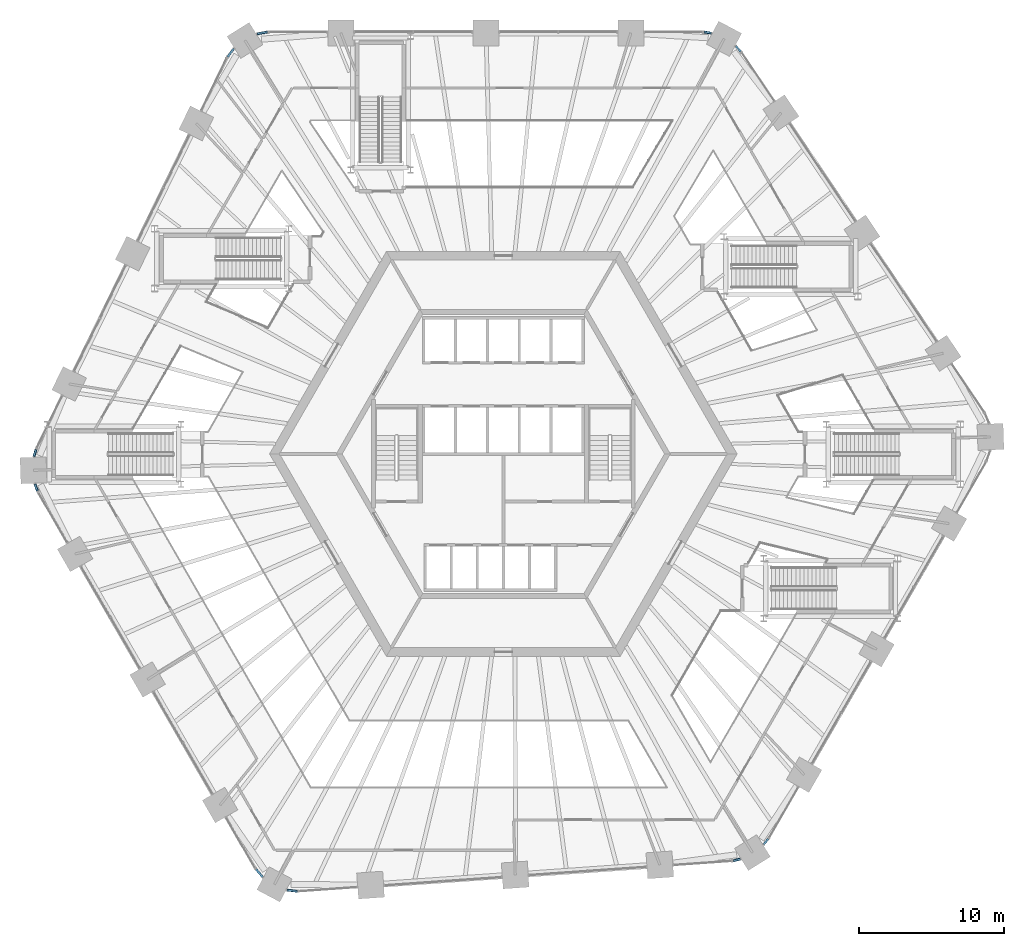
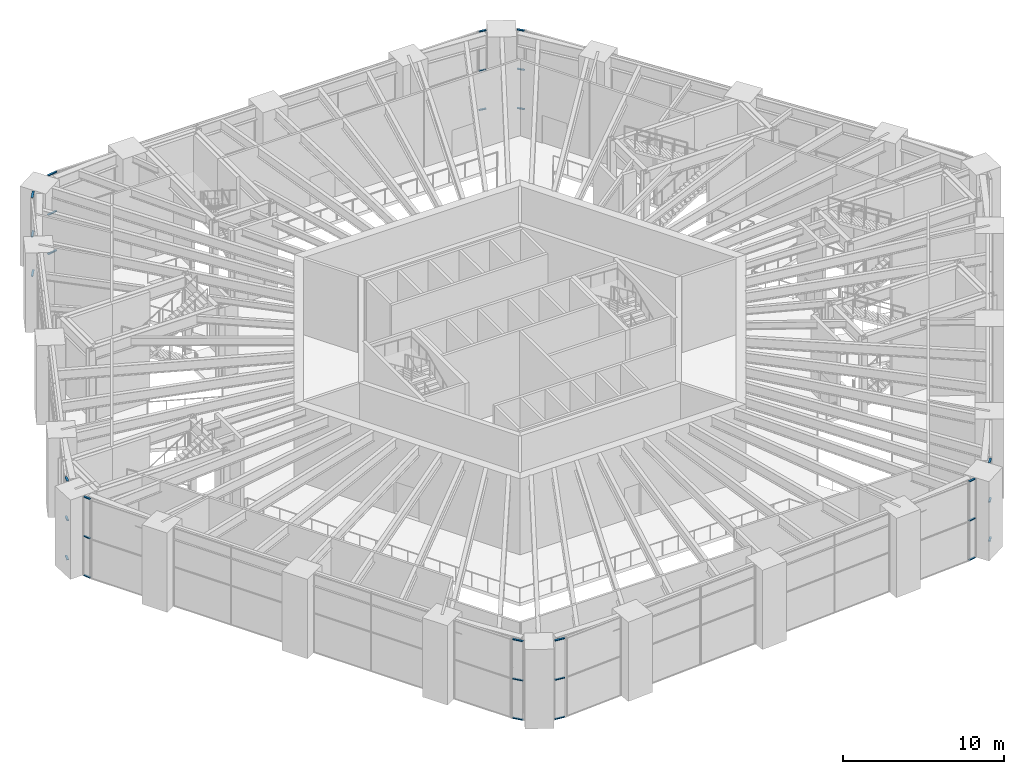
# One storey, part 12 of 32: 30 members, 10 elements without a shape of their own.
"""IFC4 building model written with IfcOpenShell, lengths in metres."""

from ifc_helpers import new_model, si_unit, direction, frame, origin, origin_2d, place, context, subcontext, project, spatial, rectangle, extrude, material, material_profile, profile_set, type_object, element, aggregate, save


model = new_model("IFC4")

# Units and contexts
model_context = context("Model", 3, precision=1e-05, world=origin(), true_north=direction((0.0, 1.0)))
body_context = subcontext(model_context, "Body", "Model", "MODEL_VIEW")
ifc_project = project(units=[si_unit("LENGTHUNIT", "METRE"), si_unit("AREAUNIT", "SQUARE_METRE"), si_unit("VOLUMEUNIT", "CUBIC_METRE"), si_unit("PLANEANGLEUNIT", "RADIAN"), si_unit("MASSUNIT", "GRAM", prefix="KILO")], contexts=[model_context])

# Site, building, storey
site_placement = place(None, origin())
site = spatial("IfcSite", under=ifc_project, at=site_placement, CompositionType="ELEMENT")
building_placement = place(site_placement, origin())
building = spatial("IfcBuilding", under=site, at=building_placement, Name="Tarnside Tower", CompositionType="ELEMENT")
storey_placement = place(building_placement, frame((0.0, 0.0, 9.0)))
storey = spatial("IfcBuildingStorey", under=building, at=storey_placement, Name="L01", CompositionType="ELEMENT", Elevation=9.0)

# Curtain wall, members
ifc_material_1 = material(Name="Retail shopfront glazing wall", Category="glass")
curtain_wall_type = type_object("IfcCurtainWallType", Name="Retail shopfront glazing wall", PredefinedType="NOTDEFINED", material=ifc_material_1)
curtain_wall_1_placement = place(storey_placement, origin())
curtain_wall_1 = element("IfcCurtainWall", 1, at=curtain_wall_1_placement, inside=storey, type_object=curtain_wall_type, Name="Retail shopfront glazing L01 02.1", PredefinedType="NOTDEFINED")
ifc_material_2 = material(Name="Aluminium alloy 6063", Category="aluminium")
ifc_material_profile = material_profile(ifc_material_2, rectangle(XDim=0.139892578125, YDim=0.06005859375, at=origin_2d()), Name="Retail shopfront glazing transom 60 x 140")
ifc_profile_set = profile_set([ifc_material_profile], Name="Aluminium alloy 6063")
member_type = type_object("IfcMemberType", Name="Retail shopfront glazing transom 60 x 140", PredefinedType="USERDEFINED", material=ifc_profile_set)
member_1_placement = place(storey_placement, frame((-16.3203125, 29.16748046875, -0.219970703125), z_axis=(-0.982702316211, -0.185192218287, 0.0), x_axis=(0.185192218287, -0.982702316211, 0.0)))
member_1 = element("IfcMember", 2, at=member_1_placement, type_object=member_type, Name="CW2 transom 1.1", ObjectType="TRANSOM", PredefinedType="USERDEFINED", context=body_context, shape_type="SweptSolid", body=[
    extrude(rectangle(XDim=0.139892578125, YDim=0.06005859375, at=origin_2d()), origin(), (0.0, 0.0, 1.0), 0.701416015625),
])
member_2_placement = place(storey_placement, frame((-16.3203125, 29.16748046875, 2.75), z_axis=(-0.982702316211, -0.185192218287, 0.0), x_axis=(0.185192218287, -0.982702316211, 0.0)))
member_2 = element("IfcMember", 3, at=member_2_placement, type_object=member_type, Name="CW2 transom 1.2", ObjectType="TRANSOM", PredefinedType="USERDEFINED", context=body_context, shape_type="SweptSolid", body=[
    extrude(rectangle(XDim=0.139892578125, YDim=0.06005859375, at=origin_2d()), origin(), (0.0, 0.0, 1.0), 0.701416015625),
])
member_3_placement = place(storey_placement, frame((-16.3203125, 29.16748046875, 5.719970703125), z_axis=(-0.982702316211, -0.185192218287, 0.0), x_axis=(0.185192218287, -0.982702316211, 0.0)))
member_3 = element("IfcMember", 4, at=member_3_placement, type_object=member_type, Name="CW2 transom 1.3", ObjectType="TRANSOM", PredefinedType="USERDEFINED", context=body_context, shape_type="SweptSolid", body=[
    extrude(rectangle(XDim=0.139892578125, YDim=0.06005859375, at=origin_2d()), origin(), (0.0, 0.0, 1.0), 0.701416015625),
])
aggregate(curtain_wall_1, [member_1, member_2, member_3])

curtain_wall_2_placement = place(storey_placement, origin())
curtain_wall_2 = element("IfcCurtainWall", 5, at=curtain_wall_2_placement, inside=storey, type_object=curtain_wall_type, Name="Retail shopfront glazing L01 03.0", PredefinedType="NOTDEFINED")
member_4_placement = place(storey_placement, frame((-18.642333984375, 28.017333984375, -0.219970703125), z_axis=(-0.59732331485, -0.802000534624, 0.0), x_axis=(0.802000534624, -0.59732331485, 0.0)))
member_4 = element("IfcMember", 6, at=member_4_placement, type_object=member_type, Name="CW2 transom 1.1", ObjectType="TRANSOM", PredefinedType="USERDEFINED", context=body_context, shape_type="SweptSolid", body=[
    extrude(rectangle(XDim=0.139892578125, YDim=0.06005859375, at=origin_2d()), origin(), (0.0, 0.0, 1.0), 0.701416015625),
])
member_5_placement = place(storey_placement, frame((-18.642333984375, 28.017333984375, 2.75), z_axis=(-0.59732331485, -0.802000534624, 0.0), x_axis=(0.802000534624, -0.59732331485, 0.0)))
member_5 = element("IfcMember", 7, at=member_5_placement, type_object=member_type, Name="CW2 transom 1.2", ObjectType="TRANSOM", PredefinedType="USERDEFINED", context=body_context, shape_type="SweptSolid", body=[
    extrude(rectangle(XDim=0.139892578125, YDim=0.06005859375, at=origin_2d()), origin(), (0.0, 0.0, 1.0), 0.701416015625),
])
member_6_placement = place(storey_placement, frame((-18.642333984375, 28.017333984375, 5.719970703125), z_axis=(-0.59732331485, -0.802000534624, 0.0), x_axis=(0.802000534624, -0.59732331485, 0.0)))
member_6 = element("IfcMember", 8, at=member_6_placement, type_object=member_type, Name="CW2 transom 1.3", ObjectType="TRANSOM", PredefinedType="USERDEFINED", context=body_context, shape_type="SweptSolid", body=[
    extrude(rectangle(XDim=0.139892578125, YDim=0.06005859375, at=origin_2d()), origin(), (0.0, 0.0, 1.0), 0.701416015625),
])
aggregate(curtain_wall_2, [member_4, member_5, member_6])

curtain_wall_3_placement = place(storey_placement, origin())
curtain_wall_3 = element("IfcCurtainWall", 9, at=curtain_wall_3_placement, inside=storey, type_object=curtain_wall_type, Name="Retail shopfront glazing L01 06.1", PredefinedType="NOTDEFINED")
member_7_placement = place(storey_placement, frame((-32.30908203125, 0.296630859375, -0.219970703125), z_axis=(-0.28665935523, -0.958032574634, 0.0), x_axis=(0.958032574634, -0.28665935523, 0.0)))
member_7 = element("IfcMember", 10, at=member_7_placement, type_object=member_type, Name="CW2 transom 1.1", ObjectType="TRANSOM", PredefinedType="USERDEFINED", context=body_context, shape_type="SweptSolid", body=[
    extrude(rectangle(XDim=0.139892578125, YDim=0.06005859375, at=origin_2d()), origin(), (0.0, 0.0, 1.0), 0.488037109375),
])
member_8_placement = place(storey_placement, frame((-32.30908203125, 0.296630859375, 2.75), z_axis=(-0.28665935523, -0.958032574634, 0.0), x_axis=(0.958032574634, -0.28665935523, 0.0)))
member_8 = element("IfcMember", 11, at=member_8_placement, type_object=member_type, Name="CW2 transom 1.2", ObjectType="TRANSOM", PredefinedType="USERDEFINED", context=body_context, shape_type="SweptSolid", body=[
    extrude(rectangle(XDim=0.139892578125, YDim=0.06005859375, at=origin_2d()), origin(), (0.0, 0.0, 1.0), 0.488037109375),
])
member_9_placement = place(storey_placement, frame((-32.30908203125, 0.296630859375, 5.719970703125), z_axis=(-0.28665935523, -0.958032574634, 0.0), x_axis=(0.958032574634, -0.28665935523, 0.0)))
member_9 = element("IfcMember", 12, at=member_9_placement, type_object=member_type, Name="CW2 transom 1.3", ObjectType="TRANSOM", PredefinedType="USERDEFINED", context=body_context, shape_type="SweptSolid", body=[
    extrude(rectangle(XDim=0.139892578125, YDim=0.06005859375, at=origin_2d()), origin(), (0.0, 0.0, 1.0), 0.488037109375),
])
aggregate(curtain_wall_3, [member_7, member_8, member_9])

curtain_wall_4_placement = place(storey_placement, origin())
curtain_wall_4 = element("IfcCurtainWall", 13, at=curtain_wall_4_placement, inside=storey, type_object=curtain_wall_type, Name="Retail shopfront glazing L01 07.0", PredefinedType="NOTDEFINED")
member_10_placement = place(storey_placement, frame((-32.3818359375, -2.093017578125, -0.219970703125), z_axis=(0.353040734425, -0.935607951995, 0.0), x_axis=(0.935607951995, 0.353040734425, 0.0)))
member_10 = element("IfcMember", 14, at=member_10_placement, type_object=member_type, Name="CW2 transom 1.1", ObjectType="TRANSOM", PredefinedType="USERDEFINED", context=body_context, shape_type="SweptSolid", body=[
    extrude(rectangle(XDim=0.139892578125, YDim=0.06005859375, at=origin_2d()), origin(), (0.0, 0.0, 1.0), 0.48828125),
])
member_11_placement = place(storey_placement, frame((-32.3818359375, -2.093017578125, 2.75), z_axis=(0.353040734425, -0.935607951995, 0.0), x_axis=(0.935607951995, 0.353040734425, 0.0)))
member_11 = element("IfcMember", 15, at=member_11_placement, type_object=member_type, Name="CW2 transom 1.2", ObjectType="TRANSOM", PredefinedType="USERDEFINED", context=body_context, shape_type="SweptSolid", body=[
    extrude(rectangle(XDim=0.139892578125, YDim=0.06005859375, at=origin_2d()), origin(), (0.0, 0.0, 1.0), 0.48828125),
])
member_12_placement = place(storey_placement, frame((-32.3818359375, -2.093017578125, 5.719970703125), z_axis=(0.353040734425, -0.935607951995, 0.0), x_axis=(0.935607951995, 0.353040734425, 0.0)))
member_12 = element("IfcMember", 16, at=member_12_placement, type_object=member_type, Name="CW2 transom 1.3", ObjectType="TRANSOM", PredefinedType="USERDEFINED", context=body_context, shape_type="SweptSolid", body=[
    extrude(rectangle(XDim=0.139892578125, YDim=0.06005859375, at=origin_2d()), origin(), (0.0, 0.0, 1.0), 0.48828125),
])
aggregate(curtain_wall_4, [member_10, member_11, member_12])

curtain_wall_5_placement = place(storey_placement, origin())
curtain_wall_5 = element("IfcCurtainWall", 17, at=curtain_wall_5_placement, inside=storey, type_object=curtain_wall_type, Name="Retail shopfront glazing L01 10.1", PredefinedType="NOTDEFINED")
member_13_placement = place(storey_placement, frame((-17.099609375, -28.717529296875, -0.219970703125), z_axis=(0.651650977988, -0.758518953545, 0.0), x_axis=(0.758518953545, 0.651650977988, 0.0)))
member_13 = element("IfcMember", 18, at=member_13_placement, type_object=member_type, Name="CW2 transom 1.1", ObjectType="TRANSOM", PredefinedType="USERDEFINED", context=body_context, shape_type="SweptSolid", body=[
    extrude(rectangle(XDim=0.139892578125, YDim=0.06005859375, at=origin_2d()), origin(), (0.0, 0.0, 1.0), 0.701416015625),
])
member_14_placement = place(storey_placement, frame((-17.099609375, -28.717529296875, 2.75), z_axis=(0.651650977988, -0.758518953545, 0.0), x_axis=(0.758518953545, 0.651650977988, 0.0)))
member_14 = element("IfcMember", 19, at=member_14_placement, type_object=member_type, Name="CW2 transom 1.2", ObjectType="TRANSOM", PredefinedType="USERDEFINED", context=body_context, shape_type="SweptSolid", body=[
    extrude(rectangle(XDim=0.139892578125, YDim=0.06005859375, at=origin_2d()), origin(), (0.0, 0.0, 1.0), 0.701416015625),
])
member_15_placement = place(storey_placement, frame((-17.099609375, -28.717529296875, 5.719970703125), z_axis=(0.651650977988, -0.758518953545, 0.0), x_axis=(0.758518953545, 0.651650977988, 0.0)))
member_15 = element("IfcMember", 20, at=member_15_placement, type_object=member_type, Name="CW2 transom 1.3", ObjectType="TRANSOM", PredefinedType="USERDEFINED", context=body_context, shape_type="SweptSolid", body=[
    extrude(rectangle(XDim=0.139892578125, YDim=0.06005859375, at=origin_2d()), origin(), (0.0, 0.0, 1.0), 0.701416015625),
])
aggregate(curtain_wall_5, [member_13, member_14, member_15])

curtain_wall_6_placement = place(storey_placement, origin())
curtain_wall_6 = element("IfcCurtainWall", 21, at=curtain_wall_6_placement, inside=storey, type_object=curtain_wall_type, Name="Retail shopfront glazing L01 11.0", PredefinedType="NOTDEFINED")
member_16_placement = place(storey_placement, frame((-14.942626953125, -30.153564453125, -0.219970703125), z_axis=(0.99325712703, -0.115932219874, 0.0), x_axis=(0.115932219874, 0.99325712703, 0.0)))
member_16 = element("IfcMember", 22, at=member_16_placement, type_object=member_type, Name="CW2 transom 1.1", ObjectType="TRANSOM", PredefinedType="USERDEFINED", context=body_context, shape_type="SweptSolid", body=[
    extrude(rectangle(XDim=0.139892578125, YDim=0.06005859375, at=origin_2d()), origin(), (0.0, 0.0, 1.0), 0.701171875),
])
member_17_placement = place(storey_placement, frame((-14.942626953125, -30.153564453125, 2.75), z_axis=(0.99325712703, -0.115932219874, 0.0), x_axis=(0.115932219874, 0.99325712703, 0.0)))
member_17 = element("IfcMember", 23, at=member_17_placement, type_object=member_type, Name="CW2 transom 1.2", ObjectType="TRANSOM", PredefinedType="USERDEFINED", context=body_context, shape_type="SweptSolid", body=[
    extrude(rectangle(XDim=0.139892578125, YDim=0.06005859375, at=origin_2d()), origin(), (0.0, 0.0, 1.0), 0.701171875),
])
member_18_placement = place(storey_placement, frame((-14.942626953125, -30.153564453125, 5.719970703125), z_axis=(0.99325712703, -0.115932219874, 0.0), x_axis=(0.115932219874, 0.99325712703, 0.0)))
member_18 = element("IfcMember", 24, at=member_18_placement, type_object=member_type, Name="CW2 transom 1.3", ObjectType="TRANSOM", PredefinedType="USERDEFINED", context=body_context, shape_type="SweptSolid", body=[
    extrude(rectangle(XDim=0.139892578125, YDim=0.06005859375, at=origin_2d()), origin(), (0.0, 0.0, 1.0), 0.701171875),
])
aggregate(curtain_wall_6, [member_16, member_17, member_18])

curtain_wall_7_placement = place(storey_placement, origin())
curtain_wall_7 = element("IfcCurtainWall", 25, at=curtain_wall_7_placement, inside=storey, type_object=curtain_wall_type, Name="Retail shopfront glazing L01 14.1", PredefinedType="NOTDEFINED")
member_19_placement = place(storey_placement, frame((15.8974609375, -28.128662109375, -0.219970703125), z_axis=(0.973068482104, 0.23051622315, 0.0), x_axis=(-0.23051622315, 0.973068482104, 0.0)))
member_19 = element("IfcMember", 26, at=member_19_placement, type_object=member_type, Name="CW2 transom 1.1", ObjectType="TRANSOM", PredefinedType="USERDEFINED", context=body_context, shape_type="SweptSolid", body=[
    extrude(rectangle(XDim=0.139892578125, YDim=0.06005859375, at=origin_2d()), origin(), (0.0, 0.0, 1.0), 0.48828125),
])
member_20_placement = place(storey_placement, frame((15.8974609375, -28.128662109375, 2.75), z_axis=(0.973068482104, 0.23051622315, 0.0), x_axis=(-0.23051622315, 0.973068482104, 0.0)))
member_20 = element("IfcMember", 27, at=member_20_placement, type_object=member_type, Name="CW2 transom 1.2", ObjectType="TRANSOM", PredefinedType="USERDEFINED", context=body_context, shape_type="SweptSolid", body=[
    extrude(rectangle(XDim=0.139892578125, YDim=0.06005859375, at=origin_2d()), origin(), (0.0, 0.0, 1.0), 0.48828125),
])
member_21_placement = place(storey_placement, frame((15.8974609375, -28.128662109375, 5.719970703125), z_axis=(0.973068482104, 0.23051622315, 0.0), x_axis=(-0.23051622315, 0.973068482104, 0.0)))
member_21 = element("IfcMember", 28, at=member_21_placement, type_object=member_type, Name="CW2 transom 1.3", ObjectType="TRANSOM", PredefinedType="USERDEFINED", context=body_context, shape_type="SweptSolid", body=[
    extrude(rectangle(XDim=0.139892578125, YDim=0.06005859375, at=origin_2d()), origin(), (0.0, 0.0, 1.0), 0.48828125),
])
aggregate(curtain_wall_7, [member_19, member_20, member_21])

curtain_wall_8_placement = place(storey_placement, origin())
curtain_wall_8 = element("IfcCurtainWall", 29, at=curtain_wall_8_placement, inside=storey, type_object=curtain_wall_type, Name="Retail shopfront glazing L01 15.0", PredefinedType="NOTDEFINED")
member_22_placement = place(storey_placement, frame((18.00341796875, -26.9970703125, -0.219970703125), z_axis=(0.633918150603, 0.773400141153, 0.0), x_axis=(-0.773400141153, 0.633918150603, 0.0)))
member_22 = element("IfcMember", 30, at=member_22_placement, type_object=member_type, Name="CW2 transom 1.1", ObjectType="TRANSOM", PredefinedType="USERDEFINED", context=body_context, shape_type="SweptSolid", body=[
    extrude(rectangle(XDim=0.139892578125, YDim=0.06005859375, at=origin_2d()), origin(), (0.0, 0.0, 1.0), 0.48828125),
])
member_23_placement = place(storey_placement, frame((18.00341796875, -26.9970703125, 2.75), z_axis=(0.633918150603, 0.773400141153, 0.0), x_axis=(-0.773400141153, 0.633918150603, 0.0)))
member_23 = element("IfcMember", 31, at=member_23_placement, type_object=member_type, Name="CW2 transom 1.2", ObjectType="TRANSOM", PredefinedType="USERDEFINED", context=body_context, shape_type="SweptSolid", body=[
    extrude(rectangle(XDim=0.139892578125, YDim=0.06005859375, at=origin_2d()), origin(), (0.0, 0.0, 1.0), 0.48828125),
])
member_24_placement = place(storey_placement, frame((18.00341796875, -26.9970703125, 5.719970703125), z_axis=(0.633918150603, 0.773400141153, 0.0), x_axis=(-0.773400141153, 0.633918150603, 0.0)))
member_24 = element("IfcMember", 32, at=member_24_placement, type_object=member_type, Name="CW2 transom 1.3", ObjectType="TRANSOM", PredefinedType="USERDEFINED", context=body_context, shape_type="SweptSolid", body=[
    extrude(rectangle(XDim=0.139892578125, YDim=0.06005859375, at=origin_2d()), origin(), (0.0, 0.0, 1.0), 0.48828125),
])
aggregate(curtain_wall_8, [member_22, member_23, member_24])

curtain_wall_9_placement = place(storey_placement, origin())
curtain_wall_9 = element("IfcCurtainWall", 33, at=curtain_wall_9_placement, inside=storey, type_object=curtain_wall_type, Name="Retail shopfront glazing L01 22.1", PredefinedType="NOTDEFINED")
member_25_placement = place(storey_placement, frame((16.411376953125, 27.83203125, -0.219970703125), z_axis=(-0.686050683866, 0.727553750019, 0.0), x_axis=(-0.727553750019, -0.686050683866, 0.0)))
member_25 = element("IfcMember", 34, at=member_25_placement, type_object=member_type, Name="CW2 transom 1.1", ObjectType="TRANSOM", PredefinedType="USERDEFINED", context=body_context, shape_type="SweptSolid", body=[
    extrude(rectangle(XDim=0.139892578125, YDim=0.06005859375, at=origin_2d()), origin(), (0.0, 0.0, 1.0), 0.48828125),
])
member_26_placement = place(storey_placement, frame((16.411376953125, 27.83203125, 2.75), z_axis=(-0.686050683866, 0.727553750019, 0.0), x_axis=(-0.727553750019, -0.686050683866, 0.0)))
member_26 = element("IfcMember", 35, at=member_26_placement, type_object=member_type, Name="CW2 transom 1.2", ObjectType="TRANSOM", PredefinedType="USERDEFINED", context=body_context, shape_type="SweptSolid", body=[
    extrude(rectangle(XDim=0.139892578125, YDim=0.06005859375, at=origin_2d()), origin(), (0.0, 0.0, 1.0), 0.48828125),
])
member_27_placement = place(storey_placement, frame((16.411376953125, 27.83203125, 5.719970703125), z_axis=(-0.686050683866, 0.727553750019, 0.0), x_axis=(-0.727553750019, -0.686050683866, 0.0)))
member_27 = element("IfcMember", 36, at=member_27_placement, type_object=member_type, Name="CW2 transom 1.3", ObjectType="TRANSOM", PredefinedType="USERDEFINED", context=body_context, shape_type="SweptSolid", body=[
    extrude(rectangle(XDim=0.139892578125, YDim=0.06005859375, at=origin_2d()), origin(), (0.0, 0.0, 1.0), 0.48828125),
])
aggregate(curtain_wall_9, [member_25, member_26, member_27])

curtain_wall_10_placement = place(storey_placement, origin())
curtain_wall_10 = element("IfcCurtainWall", 37, at=curtain_wall_10_placement, inside=storey, type_object=curtain_wall_type, Name="Retail shopfront glazing L01 23.0", PredefinedType="NOTDEFINED")
member_28_placement = place(storey_placement, frame((14.37841796875, 29.090087890625, -0.219970703125), z_axis=(-0.986783124025, 0.162046493758, 0.0), x_axis=(-0.162046493758, -0.986783124025, 0.0)))
member_28 = element("IfcMember", 38, at=member_28_placement, type_object=member_type, Name="CW2 transom 1.1", ObjectType="TRANSOM", PredefinedType="USERDEFINED", context=body_context, shape_type="SweptSolid", body=[
    extrude(rectangle(XDim=0.139892578125, YDim=0.06005859375, at=origin_2d()), origin(), (0.0, 0.0, 1.0), 0.488037109375),
])
member_29_placement = place(storey_placement, frame((14.37841796875, 29.090087890625, 2.75), z_axis=(-0.986783124025, 0.162046493758, 0.0), x_axis=(-0.162046493758, -0.986783124025, 0.0)))
member_29 = element("IfcMember", 39, at=member_29_placement, type_object=member_type, Name="CW2 transom 1.2", ObjectType="TRANSOM", PredefinedType="USERDEFINED", context=body_context, shape_type="SweptSolid", body=[
    extrude(rectangle(XDim=0.139892578125, YDim=0.06005859375, at=origin_2d()), origin(), (0.0, 0.0, 1.0), 0.488037109375),
])
member_30_placement = place(storey_placement, frame((14.37841796875, 29.090087890625, 5.719970703125), z_axis=(-0.986783124025, 0.162046493758, 0.0), x_axis=(-0.162046493758, -0.986783124025, 0.0)))
member_30 = element("IfcMember", 40, at=member_30_placement, type_object=member_type, Name="CW2 transom 1.3", ObjectType="TRANSOM", PredefinedType="USERDEFINED", context=body_context, shape_type="SweptSolid", body=[
    extrude(rectangle(XDim=0.139892578125, YDim=0.06005859375, at=origin_2d()), origin(), (0.0, 0.0, 1.0), 0.488037109375),
])
aggregate(curtain_wall_10, [member_28, member_29, member_30])

save(model, "model.ifc")
